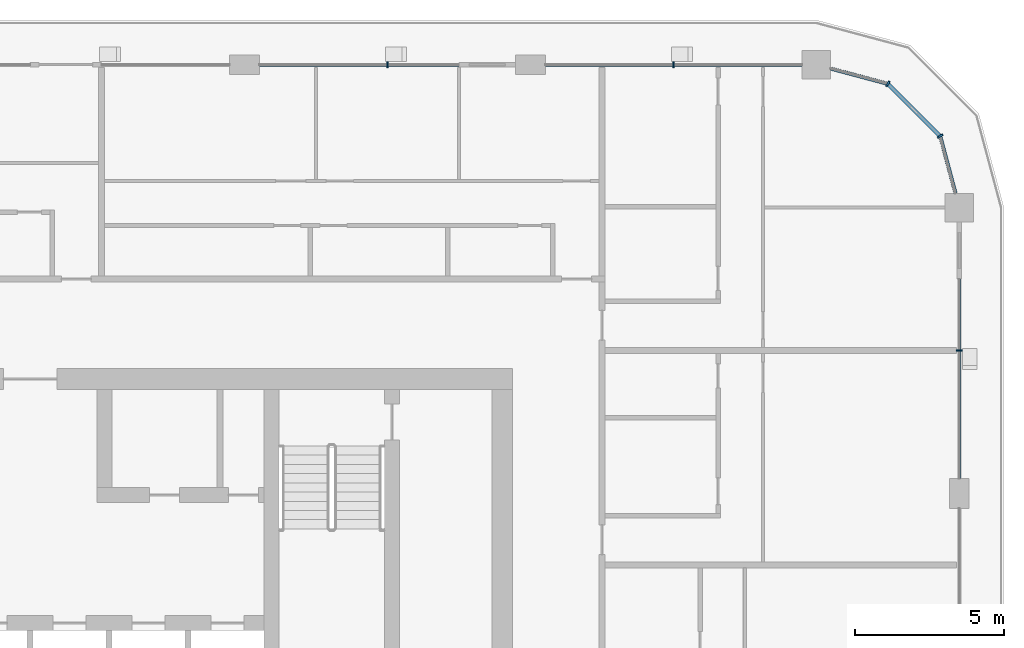
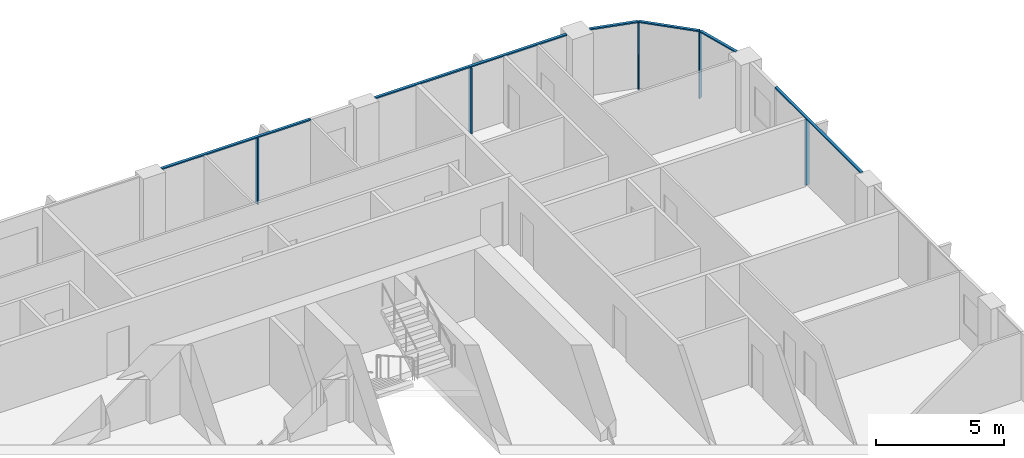
# One storey, part 6 of 22: 11 members, 4 elements without a shape of their own.
"""IFC4 building model written with IfcOpenShell, lengths in metres."""

from ifc_helpers import new_model, si_unit, direction, frame, origin, origin_2d, place, context, subcontext, project, spatial, rectangle, extrude, material, layer, layer_set, material_profile, profile_set, type_object, element, aggregate, save


model = new_model("IFC4")

# Units and contexts
model_context = context("Model", 3, precision=1e-05, world=origin(), true_north=direction((0.0, 1.0)))
body_context = subcontext(model_context, "Body", "Model", "MODEL_VIEW")
ifc_project = project(units=[si_unit("LENGTHUNIT", "METRE"), si_unit("AREAUNIT", "SQUARE_METRE"), si_unit("VOLUMEUNIT", "CUBIC_METRE"), si_unit("PLANEANGLEUNIT", "RADIAN"), si_unit("MASSUNIT", "GRAM", prefix="KILO")], contexts=[model_context])

# Site, building, storey
site_placement = place(None, origin())
site = spatial("IfcSite", under=ifc_project, at=site_placement, CompositionType="ELEMENT")
building_placement = place(site_placement, origin())
building = spatial("IfcBuilding", under=site, at=building_placement, Name="Madar Terraces", CompositionType="ELEMENT")
storey_placement = place(building_placement, frame((0.0, 0.0, 182.39990234375)))
storey = spatial("IfcBuildingStorey", under=building, at=storey_placement, Name="L47", CompositionType="ELEMENT", Elevation=182.39990234375)

# Curtain wall, member
ifc_material_1 = material(Name="Glass, ceramic frit dark grey, with black aluminium frame", Category="aluminium")
ifc_layer = layer(ifc_material_1, 0.199951171875)
ifc_layer_set = layer_set([ifc_layer], Name="Facade curtain wall, fritted glass")
curtain_wall_type = type_object("IfcCurtainWallType", Name="Facade curtain wall, fritted glass", PredefinedType="NOTDEFINED", material=ifc_layer_set)
curtain_wall_1_placement = place(storey_placement, origin())
curtain_wall_1 = element("IfcCurtainWall", 1, at=curtain_wall_1_placement, inside=storey, type_object=curtain_wall_type, Name="Outer skin curtain wall east bay 4", PredefinedType="NOTDEFINED")
ifc_material_2 = material(Name="Aluminium, black anodised", Category="aluminium")
ifc_material_profile_1 = material_profile(ifc_material_2, rectangle(XDim=0.199951171875, YDim=0.06005859375, at=origin_2d()), Name="Facade mullion 60x200")
ifc_profile_set_1 = profile_set([ifc_material_profile_1], Name="Aluminium, black anodised")
member_type_1 = type_object("IfcMemberType", Name="Facade mullion 60x200", PredefinedType="MULLION", material=ifc_profile_set_1)
member_1_placement = place(storey_placement, frame((62.39990234375, 38.39990234375, 0.0), z_axis=(0.0, 0.0, 1.0), x_axis=(-1.0, 0.0, 0.0)))
member_1 = element("IfcMember", 2, at=member_1_placement, type_object=member_type_1, Name="Mullion 1", PredefinedType="MULLION", context=body_context, shape_type="SweptSolid", body=[
    extrude(rectangle(XDim=0.199951171875, YDim=0.06005859375, at=origin_2d()), origin(), (0.0, 0.0, 1.0), 3.14013671875),
])

curtain_wall_2_placement = place(storey_placement, origin())
curtain_wall_2 = element("IfcCurtainWall", 3, at=curtain_wall_2_placement, inside=storey, type_object=curtain_wall_type, Name="Outer skin curtain wall north bay 1", PredefinedType="NOTDEFINED")
member_2_placement = place(storey_placement, frame((52.800048828125, 48.0, 0.0), z_axis=(0.0, 0.0, 1.0), x_axis=(0.0, -1.0, 0.0)))
member_2 = element("IfcMember", 4, at=member_2_placement, type_object=member_type_1, Name="Mullion 1", PredefinedType="MULLION", context=body_context, shape_type="SweptSolid", body=[
    extrude(rectangle(XDim=0.199951171875, YDim=0.06005859375, at=origin_2d()), origin(), (0.0, 0.0, 1.0), 3.14013671875),
])

curtain_wall_3_placement = place(storey_placement, origin())
curtain_wall_3 = element("IfcCurtainWall", 5, at=curtain_wall_3_placement, inside=storey, type_object=curtain_wall_type, Name="Outer skin curtain wall north bay 2", PredefinedType="NOTDEFINED")
member_3_placement = place(storey_placement, frame((43.199951171875, 48.0, 0.0), z_axis=(0.0, 0.0, 1.0), x_axis=(0.0, -1.0, 0.0)))
member_3 = element("IfcMember", 6, at=member_3_placement, type_object=member_type_1, Name="Mullion 1", PredefinedType="MULLION", context=body_context, shape_type="SweptSolid", body=[
    extrude(rectangle(XDim=0.199951171875, YDim=0.06005859375, at=origin_2d()), origin(), (0.0, 0.0, 1.0), 3.14013671875),
])

# Curtain wall, members
curtain_wall_4_placement = place(storey_placement, origin())
curtain_wall_4 = element("IfcCurtainWall", 7, at=curtain_wall_4_placement, inside=storey, type_object=curtain_wall_type, Name="Outer skin curtain wall north-east corner", PredefinedType="NOTDEFINED")
member_4_placement = place(storey_placement, frame((61.7568359375, 45.60009765625, 0.0), z_axis=(0.0, 0.0, 1.0), x_axis=(-0.866025409797, -0.499999989586, 0.0)))
member_4 = element("IfcMember", 8, at=member_4_placement, type_object=member_type_1, Name="Mullion 1", PredefinedType="MULLION", context=body_context, shape_type="SweptSolid", body=[
    extrude(rectangle(XDim=0.199951171875, YDim=0.06005859375, at=origin_2d()), origin(), (0.0, 0.0, 1.0), 3.14013671875),
])
member_5_placement = place(storey_placement, frame((60.0, 47.35693359375, 0.0), z_axis=(0.0, 0.0, 1.0), x_axis=(-0.499999989586, -0.866025409797, 0.0)))
member_5 = element("IfcMember", 9, at=member_5_placement, type_object=member_type_1, Name="Mullion 2", PredefinedType="MULLION", context=body_context, shape_type="SweptSolid", body=[
    extrude(rectangle(XDim=0.199951171875, YDim=0.06005859375, at=origin_2d()), origin(), (0.0, 0.0, 1.0), 3.14013671875),
])

# Member
ifc_material_3 = material(Name="Aluminium, black anodised", Category="aluminium")
ifc_material_profile_2 = material_profile(ifc_material_3, rectangle(XDim=0.1201171875, YDim=0.06005859375, at=origin_2d()), Name="Facade transom 60x120")
ifc_profile_set_2 = profile_set([ifc_material_profile_2], Name="Aluminium, black anodised")
member_type_2 = type_object("IfcMemberType", Name="Facade transom 60x120", PredefinedType="USERDEFINED", material=ifc_profile_set_2)
member_6_placement = place(storey_placement, frame((62.39990234375, 34.10009765625, 3.170166015625), z_axis=(0.0, 1.0, 0.0), x_axis=(-1.0, 0.0, 0.0)))
member_6 = element("IfcMember", 10, at=member_6_placement, type_object=member_type_2, Name="Transom 1", ObjectType="TRANSOM", PredefinedType="USERDEFINED", context=body_context, shape_type="SweptSolid", body=[
    extrude(rectangle(XDim=0.1201171875, YDim=0.06005859375, at=origin_2d()), origin(), (0.0, 0.0, 1.0), 6.699951171875),
])

aggregate(curtain_wall_1, [member_1, member_6])

member_7_placement = place(storey_placement, frame((57.125, 48.0, 3.170166015625), z_axis=(-1.0, 0.0, 0.0), x_axis=(0.0, -1.0, 0.0)))
member_7 = element("IfcMember", 11, at=member_7_placement, type_object=member_type_2, Name="Transom 1", ObjectType="TRANSOM", PredefinedType="USERDEFINED", context=body_context, shape_type="SweptSolid", body=[
    extrude(rectangle(XDim=0.1201171875, YDim=0.06005859375, at=origin_2d()), origin(), (0.0, 0.0, 1.0), 8.625),
])

aggregate(curtain_wall_2, [member_2, member_7])

member_8_placement = place(storey_placement, frame((45.60009765625, 48.0, 3.170166015625), z_axis=(-1.0, 0.0, 0.0), x_axis=(0.0, -1.0, 0.0)))
member_8 = element("IfcMember", 12, at=member_8_placement, type_object=member_type_2, Name="Transom 1", ObjectType="TRANSOM", PredefinedType="USERDEFINED", context=body_context, shape_type="SweptSolid", body=[
    extrude(rectangle(XDim=0.1201171875, YDim=0.06005859375, at=origin_2d()), origin(), (0.0, 0.0, 1.0), 6.7001953125),
])

aggregate(curtain_wall_3, [member_3, member_8])

member_9_placement = place(storey_placement, frame((62.272705078125, 43.675048828125, 3.170166015625), z_axis=(-0.258831412352, 0.96592251241, 0.0), x_axis=(-0.96592251241, -0.258831412352, 0.0)))
member_9 = element("IfcMember", 13, at=member_9_placement, type_object=member_type_2, Name="Transom 1", ObjectType="TRANSOM", PredefinedType="USERDEFINED", context=body_context, shape_type="SweptSolid", body=[
    extrude(rectangle(XDim=0.1201171875, YDim=0.06005859375, at=origin_2d()), origin(), (0.0, 0.0, 1.0), 1.962890625),
])

member_10_placement = place(storey_placement, frame((61.735595703125, 45.62109375, 3.170166015625), z_axis=(-0.707056433593, 0.707157125196, 0.0), x_axis=(-0.707157125196, -0.707056433593, 0.0)))
member_10 = element("IfcMember", 14, at=member_10_placement, type_object=member_type_2, Name="Transom 2", ObjectType="TRANSOM", PredefinedType="USERDEFINED", context=body_context, shape_type="SweptSolid", body=[
    extrude(rectangle(XDim=0.1201171875, YDim=0.06005859375, at=origin_2d()), origin(), (0.0, 0.0, 1.0), 2.424560546875),
])

member_11_placement = place(storey_placement, frame((59.970947265625, 47.36474609375, 3.170166015625), z_axis=(-0.96592251241, 0.258831412352, 0.0), x_axis=(-0.258831412352, -0.96592251241, 0.0)))
member_11 = element("IfcMember", 15, at=member_11_placement, type_object=member_type_2, Name="Transom 3", ObjectType="TRANSOM", PredefinedType="USERDEFINED", context=body_context, shape_type="SweptSolid", body=[
    extrude(rectangle(XDim=0.1201171875, YDim=0.06005859375, at=origin_2d()), origin(), (0.0, 0.0, 1.0), 1.962890625),
])

aggregate(curtain_wall_4, [member_4, member_9, member_5, member_10, member_11])

save(model, "model.ifc")
